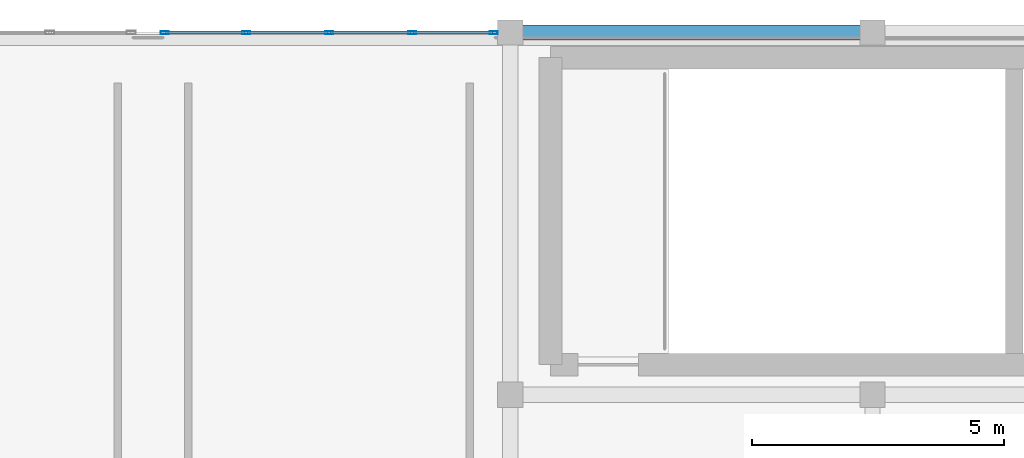
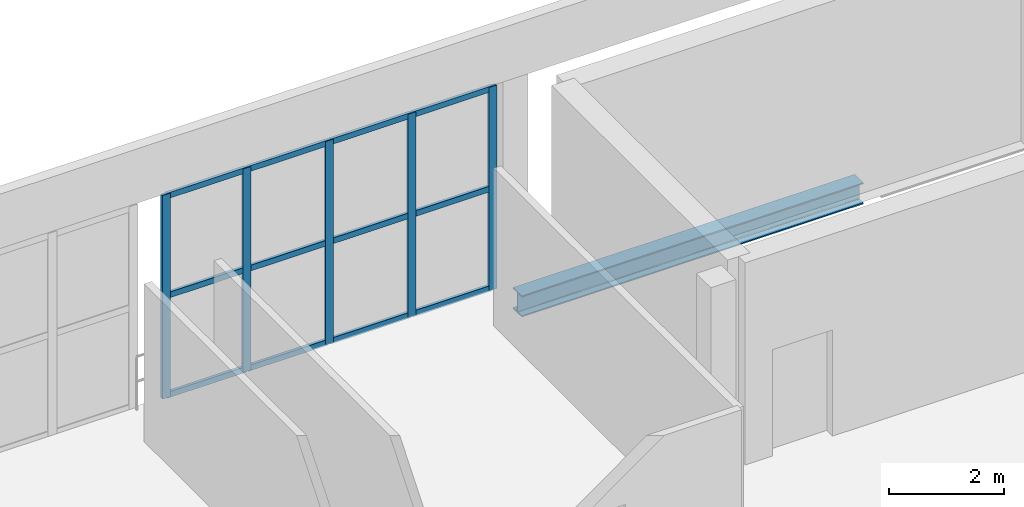
# One storey, part 32 of 64: 17 members, 1 beam, 1 element without a shape of its own.
"""IFC4 building model written with IfcOpenShell, lengths in metres."""

import ifcopenshell
import ifcopenshell.guid

model = None  # the IFC model being written
_history = None  # IfcOwnerHistory: only IFC2X3 demands one
_inside = {}  # id of a spatial element -> (the spatial element, [elements in it])
_under = {}  # id of a project, library or spatial element -> (it, [spatial elements below it])
_declared = {}  # id of a project -> (the project, [libraries it declares])
_typed = {}  # id of a type object -> (the type object, [elements of that type])
_made_of = {}  # id of a material, layer set ... -> (it, [elements and type objects made of it])


def new_model(schema):
    """Start an empty IFC model of exactly this schema.

    Asked for "IFC4X3", IfcOpenShell would pick the latest addendum, in which some entities
    have other attributes; the version numbers below select the first issue.
    IFC2X3 requires an IfcOwnerHistory on every rooted entity: one is made here for all.
    """
    global model, _history
    if schema == "IFC4X3":
        model = ifcopenshell.file(schema_version=(4, 3, 0, 0))
    else:
        model = ifcopenshell.file(schema=schema)
    _inside.clear()
    _under.clear()
    _declared.clear()
    _typed.clear()
    _made_of.clear()
    _history = None
    if model.schema == "IFC2X3":
        org = make("IfcOrganization", Name="unknown")
        user = make(
            "IfcPersonAndOrganization",
            ThePerson=make("IfcPerson", FamilyName="unknown"),
            TheOrganization=org,
        )
        app = make(
            "IfcApplication",
            ApplicationDeveloper=org,
            Version="unknown",
            ApplicationFullName="unknown",
            ApplicationIdentifier="unknown",
        )
        _history = make(
            "IfcOwnerHistory",
            OwningUser=user,
            OwningApplication=app,
            ChangeAction="ADDED",
            CreationDate=0,
        )
    return model


def make(cls, **values):
    """One entity of the class cls with the attributes given. An attribute that is None is left unset."""
    return model.create_entity(
        cls, **{name: value for name, value in values.items() if value is not None}
    )


def rooted(cls, **values):
    """An entity with a GlobalId (a new one), such as an element, a storey or a relation."""
    return make(cls, GlobalId=ifcopenshell.guid.new(), OwnerHistory=_history, **values)


def si_unit(unit_type, name, prefix=None):
    """IfcSIUnit, for example si_unit("LENGTHUNIT", "METRE", prefix="MILLI")."""
    return make("IfcSIUnit", UnitType=unit_type, Prefix=prefix, Name=name)


def assignment(units):
    """IfcUnitAssignment: the units of a project."""
    return None if units is None else make("IfcUnitAssignment", Units=units)


def point(xyz):
    """IfcCartesianPoint."""
    return None if xyz is None else make("IfcCartesianPoint", Coordinates=xyz)


def direction(xyz):
    """IfcDirection."""
    return None if xyz is None else make("IfcDirection", DirectionRatios=xyz)


def frame(location, z_axis=None, x_axis=None):
    """IfcAxis2Placement3D, a coordinate frame: its origin and axes. An axis left out is left unset."""
    return make(
        "IfcAxis2Placement3D",
        Location=point(location),
        Axis=direction(z_axis),
        RefDirection=direction(x_axis),
    )


def frame_2d(location, x_axis=None):
    """IfcAxis2Placement2D, a coordinate frame in the plane: its origin and x axis."""
    return make(
        "IfcAxis2Placement2D", Location=point(location), RefDirection=direction(x_axis)
    )


def origin():
    """The frame at (0, 0, 0) with its axes left unset."""
    return frame((0.0, 0.0, 0.0))


def origin_2d():
    """The frame at (0, 0) in the plane with its x axis left unset."""
    return frame_2d((0.0, 0.0))


def place(relative_to, where):
    """IfcLocalPlacement: puts the frame where relative to a parent placement (None: the world)."""
    return make(
        "IfcLocalPlacement", PlacementRelTo=relative_to, RelativePlacement=where
    )


def context(
    kind, dimensions, precision=None, world=None, true_north=None, identifier=None
):
    """IfcGeometricRepresentationContext, for example the 3D "Model" context."""
    return make(
        "IfcGeometricRepresentationContext",
        ContextIdentifier=identifier,
        ContextType=kind,
        CoordinateSpaceDimension=dimensions,
        Precision=precision,
        WorldCoordinateSystem=world,
        TrueNorth=true_north,
    )


def subcontext(parent, identifier, kind, view, scale=None):
    """IfcGeometricRepresentationSubContext, for example "Body" below "Model"."""
    return make(
        "IfcGeometricRepresentationSubContext",
        ContextIdentifier=identifier,
        ContextType=kind,
        ParentContext=parent,
        TargetScale=scale,
        TargetView=view,
    )


def project(units=None, contexts=None):
    """IfcProject with its units and contexts."""
    return rooted(
        "IfcProject",
        Name="project",
        RepresentationContexts=contexts,
        UnitsInContext=assignment(units),
    )


def spatial(cls, under=None, at=None, **own):
    """A site, building, storey or space (cls), placed at a placement, below another one or the project."""
    s = rooted(cls, ObjectPlacement=at, **own)
    if under is not None:
        _under.setdefault(under.id(), (under, []))[1].append(s)
    return s


def profile(cls, at=None, kind="AREA", **sizes):
    """A parametric profile (cls). Its sizes go by their IFC names, for example OverallWidth=200.0."""
    return make(cls, ProfileType=kind, Position=at, **sizes)


def hollow_rectangle(**sizes):
    """IfcRectangleHollowProfileDef."""
    return profile("IfcRectangleHollowProfileDef", **sizes)


def i_section(**sizes):
    """IfcIShapeProfileDef."""
    return profile("IfcIShapeProfileDef", **sizes)


def extrude(swept, where, along, depth):
    """IfcExtrudedAreaSolid: the profile swept, set in the frame where, extruded along a direction by depth."""
    return make(
        "IfcExtrudedAreaSolid",
        SweptArea=swept,
        Position=where,
        ExtrudedDirection=direction(along),
        Depth=depth,
    )


def shape(context_of_items, identifier, shape_type, items):
    """IfcShapeRepresentation: the items that make up one representation, for example the "Body"."""
    return make(
        "IfcShapeRepresentation",
        ContextOfItems=context_of_items,
        RepresentationIdentifier=identifier,
        RepresentationType=shape_type,
        Items=items,
    )


def material(Name=None, Category=None):
    """IfcMaterial."""
    return make("IfcMaterial", Name=Name, Category=Category)


def material_profile(
    of_material, cross_section, Name=None, Category=None, Priority=None
):
    """IfcMaterialProfile: a cross section and its material."""
    return make(
        "IfcMaterialProfile",
        Name=Name,
        Material=of_material,
        Profile=cross_section,
        Priority=Priority,
        Category=Category,
    )


def profile_set(profiles, Name=None, composite=None):
    """IfcMaterialProfileSet."""
    return make(
        "IfcMaterialProfileSet",
        Name=Name,
        MaterialProfiles=profiles,
        CompositeProfile=composite,
    )


def made_of(thing, what):
    """Note that an element or type object is made of a material, layer set ...; save() writes the relation."""
    if what is not None:
        _made_of.setdefault(what.id(), (what, []))[1].append(thing)
    return thing


def type_object(cls, material=None, **own):
    """A type object (cls), such as IfcWallType, which elements share."""
    return made_of(rooted(cls, **own), material)


def element(
    cls,
    number,
    at=None,
    inside=None,
    cuts=None,
    type_object=None,
    material=None,
    context=None,
    identifier="Body",
    shape_type=None,
    held_by="IfcProductDefinitionShape",
    body=None,
    shapes=None,
    **own,
):
    """One element of the class cls, such as IfcWall. Its Tag is "e" and its number.

    at: its placement. inside: the storey or other place that contains it. cuts: it is an
    opening in that element (IfcRelVoidsElement). A single representation is given by context,
    identifier, shape_type and body (its items); several are given by shapes. held_by: the class
    of the entity that holds the representations. save() writes the other relations.
    """
    e = rooted(cls, Tag="e%d" % number, ObjectPlacement=at, **own)
    if body is not None:
        shapes = [shape(context, identifier, shape_type, body)]
    if shapes is not None:
        e.Representation = make(held_by, Representations=shapes)
    if inside is not None:
        _inside.setdefault(inside.id(), (inside, []))[1].append(e)
    if cuts is not None:
        rooted(
            "IfcRelVoidsElement", RelatingBuildingElement=cuts, RelatedOpeningElement=e
        )
    if type_object is not None:
        _typed.setdefault(type_object.id(), (type_object, []))[1].append(e)
    return made_of(e, material)


def aggregate(whole, parts):
    """IfcRelAggregates: a whole, such as a stair, and the parts it consists of."""
    return rooted("IfcRelAggregates", RelatingObject=whole, RelatedObjects=parts)


def save(model, path):
    """Write the relations noted so far, then the file.

    IfcRelAggregates (storeys below a building ...), IfcRelContainedInSpatialStructure (elements
    in a storey), IfcRelDefinesByType, IfcRelAssociatesMaterial and IfcRelDeclares: one each for
    every whole, place, type object, material and project.
    """
    for whole, parts in _under.values():
        aggregate(whole, parts)
    for where, things in _inside.values():
        rooted(
            "IfcRelContainedInSpatialStructure",
            RelatedElements=things,
            RelatingStructure=where,
        )
    for kind, things in _typed.values():
        rooted("IfcRelDefinesByType", RelatedObjects=things, RelatingType=kind)
    for what, things in _made_of.values():
        rooted("IfcRelAssociatesMaterial", RelatedObjects=things, RelatingMaterial=what)
    for by, libraries in _declared.values():
        rooted("IfcRelDeclares", RelatingContext=by, RelatedDefinitions=libraries)
    model.write(path)


model = new_model("IFC4")

# Units and contexts
model_context = context("Model", 3, precision=1e-05, world=origin(), true_north=direction((0.0, 1.0)))
body_context = subcontext(model_context, "Body", "Model", "MODEL_VIEW")
ifc_project = project(units=[si_unit("LENGTHUNIT", "METRE"), si_unit("AREAUNIT", "SQUARE_METRE"), si_unit("VOLUMEUNIT", "CUBIC_METRE"), si_unit("PLANEANGLEUNIT", "RADIAN"), si_unit("MASSUNIT", "GRAM", prefix="KILO")], contexts=[model_context])

# Site, building, storey
site_placement = place(None, origin())
site = spatial("IfcSite", under=ifc_project, at=site_placement, CompositionType="ELEMENT")
building_placement = place(site_placement, origin())
building = spatial("IfcBuilding", under=site, at=building_placement, Name="Qandorah Velis Arena", CompositionType="ELEMENT")
storey_placement = place(building_placement, frame((0.0, 0.0, 23.0)))
storey = spatial("IfcBuildingStorey", under=building, at=storey_placement, Name="L05", CompositionType="ELEMENT", Elevation=23.0)

# Curtain wall, members
ifc_material_1 = material(Name="Solar-control low-E double glazing", Category="glass")
curtain_wall_type = type_object("IfcCurtainWallType", Name="ARC-CW-SYS03", PredefinedType="USERDEFINED", material=ifc_material_1)
curtain_wall_placement = place(storey_placement, origin())
curtain_wall = element("IfcCurtainWall", 1, at=curtain_wall_placement, inside=storey, type_object=curtain_wall_type, Name="Unitised curtain wall L05-099", ObjectType="UNITISED CURTAIN WALL", PredefinedType="USERDEFINED")
ifc_material_2 = material(Name="Champagne-bronze anodized aluminium 6063-T6", Category="aluminium")
ifc_material_profile_1 = material_profile(ifc_material_2, hollow_rectangle(XDim=0.06005859375, YDim=0.159912109375, WallThickness=0.00341796875, at=origin_2d()), Name="ALU MULLION 60x160")
ifc_profile_set_1 = profile_set([ifc_material_profile_1], Name="Champagne-bronze anodized aluminium 6063-T6")
member_type_1 = type_object("IfcMemberType", Name="ARC-CWM-160", PredefinedType="MULLION", material=ifc_profile_set_1)
member_1_placement = place(storey_placement, frame((21.929931640625, 129.60009765625, -0.014892578125), z_axis=(0.0, 0.0, 1.0), x_axis=(0.0, 1.0, 0.0)))
member_1 = element("IfcMember", 2, at=member_1_placement, type_object=member_type_1, Name="CW03 mullion 1", PredefinedType="MULLION", context=body_context, shape_type="SweptSolid", body=[
    extrude(hollow_rectangle(XDim=0.06005859375, YDim=0.159912109375, WallThickness=0.00341796875, at=origin_2d()), origin(), (0.0, 0.0, 1.0), 4.309814453125),
])
member_2_placement = place(storey_placement, frame((23.550048828125, 129.60009765625, -0.014892578125), z_axis=(0.0, 0.0, 1.0), x_axis=(0.0, 1.0, 0.0)))
member_2 = element("IfcMember", 3, at=member_2_placement, type_object=member_type_1, Name="CW03 mullion 2", PredefinedType="MULLION", context=body_context, shape_type="SweptSolid", body=[
    extrude(hollow_rectangle(XDim=0.06005859375, YDim=0.159912109375, WallThickness=0.00341796875, at=origin_2d()), origin(), (0.0, 0.0, 1.0), 4.309814453125),
])
member_3_placement = place(storey_placement, frame((25.199951171875, 129.60009765625, -0.014892578125), z_axis=(0.0, 0.0, 1.0), x_axis=(0.0, 1.0, 0.0)))
member_3 = element("IfcMember", 4, at=member_3_placement, type_object=member_type_1, Name="CW03 mullion 3", PredefinedType="MULLION", context=body_context, shape_type="SweptSolid", body=[
    extrude(hollow_rectangle(XDim=0.06005859375, YDim=0.159912109375, WallThickness=0.00341796875, at=origin_2d()), origin(), (0.0, 0.0, 1.0), 4.309814453125),
])
member_4_placement = place(storey_placement, frame((26.85009765625, 129.60009765625, -0.014892578125), z_axis=(0.0, 0.0, 1.0), x_axis=(0.0, 1.0, 0.0)))
member_4 = element("IfcMember", 5, at=member_4_placement, type_object=member_type_1, Name="CW03 mullion 4", PredefinedType="MULLION", context=body_context, shape_type="SweptSolid", body=[
    extrude(hollow_rectangle(XDim=0.06005859375, YDim=0.159912109375, WallThickness=0.00341796875, at=origin_2d()), origin(), (0.0, 0.0, 1.0), 4.309814453125),
])
member_5_placement = place(storey_placement, frame((28.469970703125, 129.60009765625, -0.014892578125), z_axis=(0.0, 0.0, 1.0), x_axis=(0.0, 1.0, 0.0)))
member_5 = element("IfcMember", 6, at=member_5_placement, type_object=member_type_1, Name="CW03 mullion 5", PredefinedType="MULLION", context=body_context, shape_type="SweptSolid", body=[
    extrude(hollow_rectangle(XDim=0.06005859375, YDim=0.159912109375, WallThickness=0.00341796875, at=origin_2d()), origin(), (0.0, 0.0, 1.0), 4.309814453125),
])
ifc_material_profile_2 = material_profile(ifc_material_2, hollow_rectangle(XDim=0.06005859375, YDim=0.1201171875, WallThickness=0.0029296875, at=origin_2d()), Name="ALU TRANSOM 60x120")
ifc_profile_set_2 = profile_set([ifc_material_profile_2], Name="Champagne-bronze anodized aluminium 6063-T6")
member_type_2 = type_object("IfcMemberType", Name="ARC-CWT-120", PredefinedType="USERDEFINED", material=ifc_profile_set_2)
member_6_placement = place(storey_placement, frame((21.947998046875, 129.60009765625, 0.030029296875), z_axis=(1.0, 0.0, 0.0), x_axis=(0.0, 1.0, 0.0)))
member_6 = element("IfcMember", 7, at=member_6_placement, type_object=member_type_2, Name="CW03 transom 1.1", ObjectType="TRANSOM", PredefinedType="USERDEFINED", context=body_context, shape_type="SweptSolid", body=[
    extrude(hollow_rectangle(XDim=0.06005859375, YDim=0.1201171875, WallThickness=0.0029296875, at=origin_2d()), origin(), (0.0, 0.0, 1.0), 1.583984375),
])
member_7_placement = place(storey_placement, frame((21.947998046875, 129.60009765625, 2.139892578125), z_axis=(1.0, 0.0, 0.0), x_axis=(0.0, 1.0, 0.0)))
member_7 = element("IfcMember", 8, at=member_7_placement, type_object=member_type_2, Name="CW03 transom 1.2", ObjectType="TRANSOM", PredefinedType="USERDEFINED", context=body_context, shape_type="SweptSolid", body=[
    extrude(hollow_rectangle(XDim=0.06005859375, YDim=0.1201171875, WallThickness=0.0029296875, at=origin_2d()), origin(), (0.0, 0.0, 1.0), 1.583984375),
])
member_8_placement = place(storey_placement, frame((21.947998046875, 129.60009765625, 4.25), z_axis=(1.0, 0.0, 0.0), x_axis=(0.0, 1.0, 0.0)))
member_8 = element("IfcMember", 9, at=member_8_placement, type_object=member_type_2, Name="CW03 transom 1.3", ObjectType="TRANSOM", PredefinedType="USERDEFINED", context=body_context, shape_type="SweptSolid", body=[
    extrude(hollow_rectangle(XDim=0.06005859375, YDim=0.1201171875, WallThickness=0.0029296875, at=origin_2d()), origin(), (0.0, 0.0, 1.0), 1.583984375),
])
member_9_placement = place(storey_placement, frame((23.568115234375, 129.60009765625, 0.030029296875), z_axis=(1.0, 0.0, 0.0), x_axis=(0.0, 1.0, 0.0)))
member_9 = element("IfcMember", 10, at=member_9_placement, type_object=member_type_2, Name="CW03 transom 2.1", ObjectType="TRANSOM", PredefinedType="USERDEFINED", context=body_context, shape_type="SweptSolid", body=[
    extrude(hollow_rectangle(XDim=0.06005859375, YDim=0.1201171875, WallThickness=0.0029296875, at=origin_2d()), origin(), (0.0, 0.0, 1.0), 1.61376953125),
])
member_10_placement = place(storey_placement, frame((23.568115234375, 129.60009765625, 2.139892578125), z_axis=(1.0, 0.0, 0.0), x_axis=(0.0, 1.0, 0.0)))
member_10 = element("IfcMember", 11, at=member_10_placement, type_object=member_type_2, Name="CW03 transom 2.2", ObjectType="TRANSOM", PredefinedType="USERDEFINED", context=body_context, shape_type="SweptSolid", body=[
    extrude(hollow_rectangle(XDim=0.06005859375, YDim=0.1201171875, WallThickness=0.0029296875, at=origin_2d()), origin(), (0.0, 0.0, 1.0), 1.61376953125),
])
member_11_placement = place(storey_placement, frame((23.568115234375, 129.60009765625, 4.25), z_axis=(1.0, 0.0, 0.0), x_axis=(0.0, 1.0, 0.0)))
member_11 = element("IfcMember", 12, at=member_11_placement, type_object=member_type_2, Name="CW03 transom 2.3", ObjectType="TRANSOM", PredefinedType="USERDEFINED", context=body_context, shape_type="SweptSolid", body=[
    extrude(hollow_rectangle(XDim=0.06005859375, YDim=0.1201171875, WallThickness=0.0029296875, at=origin_2d()), origin(), (0.0, 0.0, 1.0), 1.61376953125),
])
member_12_placement = place(storey_placement, frame((25.218017578125, 129.60009765625, 0.030029296875), z_axis=(1.0, 0.0, 0.0), x_axis=(0.0, 1.0, 0.0)))
member_12 = element("IfcMember", 13, at=member_12_placement, type_object=member_type_2, Name="CW03 transom 3.1", ObjectType="TRANSOM", PredefinedType="USERDEFINED", context=body_context, shape_type="SweptSolid", body=[
    extrude(hollow_rectangle(XDim=0.06005859375, YDim=0.1201171875, WallThickness=0.0029296875, at=origin_2d()), origin(), (0.0, 0.0, 1.0), 1.614013671875),
])
member_13_placement = place(storey_placement, frame((25.218017578125, 129.60009765625, 2.139892578125), z_axis=(1.0, 0.0, 0.0), x_axis=(0.0, 1.0, 0.0)))
member_13 = element("IfcMember", 14, at=member_13_placement, type_object=member_type_2, Name="CW03 transom 3.2", ObjectType="TRANSOM", PredefinedType="USERDEFINED", context=body_context, shape_type="SweptSolid", body=[
    extrude(hollow_rectangle(XDim=0.06005859375, YDim=0.1201171875, WallThickness=0.0029296875, at=origin_2d()), origin(), (0.0, 0.0, 1.0), 1.614013671875),
])
member_14_placement = place(storey_placement, frame((25.218017578125, 129.60009765625, 4.25), z_axis=(1.0, 0.0, 0.0), x_axis=(0.0, 1.0, 0.0)))
member_14 = element("IfcMember", 15, at=member_14_placement, type_object=member_type_2, Name="CW03 transom 3.3", ObjectType="TRANSOM", PredefinedType="USERDEFINED", context=body_context, shape_type="SweptSolid", body=[
    extrude(hollow_rectangle(XDim=0.06005859375, YDim=0.1201171875, WallThickness=0.0029296875, at=origin_2d()), origin(), (0.0, 0.0, 1.0), 1.614013671875),
])
member_15_placement = place(storey_placement, frame((26.867919921875, 129.60009765625, 0.030029296875), z_axis=(1.0, 0.0, 0.0), x_axis=(0.0, 1.0, 0.0)))
member_15 = element("IfcMember", 16, at=member_15_placement, type_object=member_type_2, Name="CW03 transom 4.1", ObjectType="TRANSOM", PredefinedType="USERDEFINED", context=body_context, shape_type="SweptSolid", body=[
    extrude(hollow_rectangle(XDim=0.06005859375, YDim=0.1201171875, WallThickness=0.0029296875, at=origin_2d()), origin(), (0.0, 0.0, 1.0), 1.583984375),
])
member_16_placement = place(storey_placement, frame((26.867919921875, 129.60009765625, 2.139892578125), z_axis=(1.0, 0.0, 0.0), x_axis=(0.0, 1.0, 0.0)))
member_16 = element("IfcMember", 17, at=member_16_placement, type_object=member_type_2, Name="CW03 transom 4.2", ObjectType="TRANSOM", PredefinedType="USERDEFINED", context=body_context, shape_type="SweptSolid", body=[
    extrude(hollow_rectangle(XDim=0.06005859375, YDim=0.1201171875, WallThickness=0.0029296875, at=origin_2d()), origin(), (0.0, 0.0, 1.0), 1.583984375),
])
member_17_placement = place(storey_placement, frame((26.867919921875, 129.60009765625, 4.25), z_axis=(1.0, 0.0, 0.0), x_axis=(0.0, 1.0, 0.0)))
member_17 = element("IfcMember", 18, at=member_17_placement, type_object=member_type_2, Name="CW03 transom 4.3", ObjectType="TRANSOM", PredefinedType="USERDEFINED", context=body_context, shape_type="SweptSolid", body=[
    extrude(hollow_rectangle(XDim=0.06005859375, YDim=0.1201171875, WallThickness=0.0029296875, at=origin_2d()), origin(), (0.0, 0.0, 1.0), 1.583984375),
])
aggregate(curtain_wall, [member_1, member_2, member_3, member_4, member_5, member_6, member_7, member_8, member_9, member_10, member_11, member_12, member_13, member_14, member_15, member_16, member_17])

# Beam
ifc_material_3 = material(Name="Steel S355", Category="steel")
ifc_material_profile_3 = material_profile(ifc_material_3, i_section(OverallWidth=0.300048828125, OverallDepth=0.449951171875, WebThickness=0.013916015625, FlangeThickness=0.02587890625, FilletRadius=0.027099609375, at=origin_2d()), Name="HEB 450")
ifc_profile_set_3 = profile_set([ifc_material_profile_3], Name="Steel S355")
beam_type = type_object("IfcBeamType", Name="STR-BM-HEB450", PredefinedType="BEAM", material=ifc_profile_set_3)
beam_placement = place(storey_placement, frame((28.978515625, 129.60009765625, -0.47509765625), z_axis=(1.0, 0.0, 0.0), x_axis=(0.0, 1.0, 0.0)))
element("IfcBeam", 19, at=beam_placement, inside=storey, type_object=beam_type, Name="Primary floor girder L05 X-105", PredefinedType="BEAM", context=body_context, shape_type="SweptSolid", body=[
    extrude(i_section(OverallWidth=0.300048828125, OverallDepth=0.449951171875, WebThickness=0.013916015625, FlangeThickness=0.02587890625, FilletRadius=0.027099609375, at=origin_2d()), origin(), (0.0, 0.0, 1.0), 6.843017578125),
])

save(model, "model.ifc")
